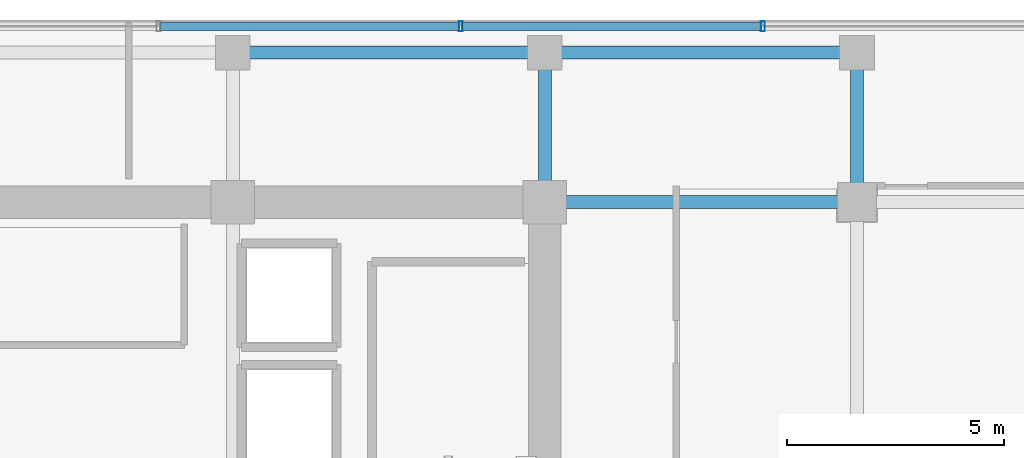
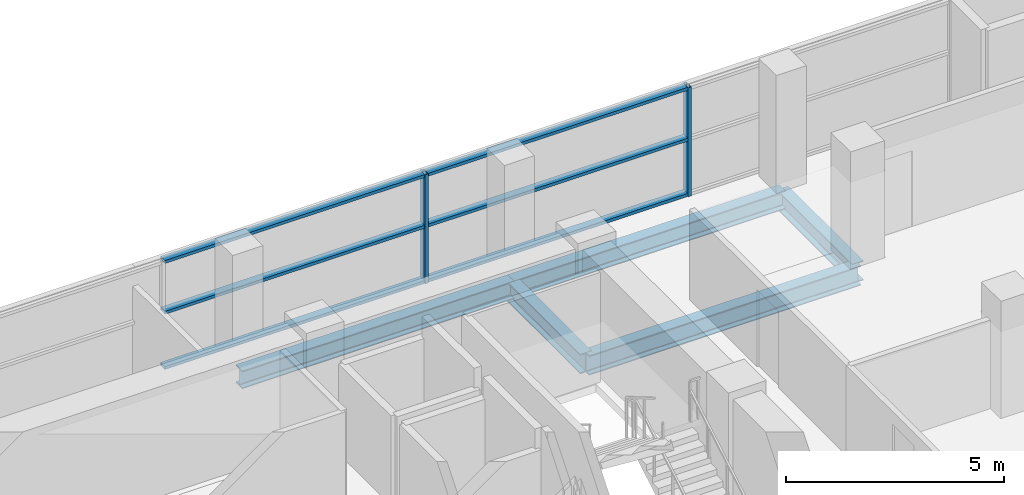
# One storey, part 14 of 25: 8 members, 5 beams, 1 element without a shape of its own.
"""IFC4 building model written with IfcOpenShell, lengths in metres."""

from ifc_helpers import new_model, si_unit, direction, frame, origin, origin_2d, place, context, subcontext, project, spatial, hollow_rectangle, i_section, extrude, source, transform, mapped, material, layer, layer_set, material_profile, profile_set, type_object, element, aggregate, save


model = new_model("IFC4")

# Units and contexts
model_context = context("Model", 3, precision=1e-05, world=origin(), true_north=direction((0.0, 1.0)))
body_context = subcontext(model_context, "Body", "Model", "MODEL_VIEW")
ifc_project = project(units=[si_unit("LENGTHUNIT", "METRE"), si_unit("AREAUNIT", "SQUARE_METRE"), si_unit("VOLUMEUNIT", "CUBIC_METRE"), si_unit("PLANEANGLEUNIT", "RADIAN"), si_unit("MASSUNIT", "GRAM", prefix="KILO")], contexts=[model_context])

# Site, building, storey
site_placement = place(None, origin())
site = spatial("IfcSite", under=ifc_project, at=site_placement, CompositionType="ELEMENT")
building_placement = place(site_placement, origin())
building = spatial("IfcBuilding", under=site, at=building_placement, Name="Zarnakvel Exchange Tower", CompositionType="ELEMENT")
storey_placement = place(building_placement, frame((0.0, 0.0, 126.39990234375)))
storey = spatial("IfcBuildingStorey", under=building, at=storey_placement, Name="L35", CompositionType="ELEMENT", Elevation=126.39990234375)

# Beams
ifc_material_1 = material(Name="Steel S355", Category="steel")
ifc_material_profile_1 = material_profile(ifc_material_1, i_section(OverallWidth=0.300048828125, OverallDepth=0.550048828125, WebThickness=0.014892578125, FlangeThickness=0.029052734375, FilletRadius=0.027099609375, at=origin_2d()))
ifc_profile_set_1 = profile_set([ifc_material_profile_1], Name="Steel S355")
beam_type_1 = type_object("IfcBeamType", Name="G-05", PredefinedType="BEAM", material=ifc_profile_set_1)
beam_1_placement = place(storey_placement, frame((14.39990234375, 13.5, -0.5), z_axis=(1.0, 0.0, 0.0), x_axis=(0.0, 1.0, 0.0)))
element("IfcBeam", 1, at=beam_1_placement, inside=storey, type_object=beam_type_1, Name="L35 Tower E-W Frame Beam", PredefinedType="BEAM", context=body_context, shape_type="SweptSolid", body=[
    extrude(i_section(OverallWidth=0.300048828125, OverallDepth=0.550048828125, WebThickness=0.014892578125, FlangeThickness=0.029052734375, FilletRadius=0.027099609375, at=origin_2d()), origin(), (0.0, 0.0, 1.0), 7.2001953125),
])
for number, where, z_axis, x_axis, name in (
    (2, (14.39990234375, 13.5, -0.5), (0.0, 1.0, 0.0), (-1.0, 0.0, 0.0), "L35 Tower N-S Frame Beam"),
    (3, (21.60009765625, 13.5, -0.5), (0.0, 1.0, 0.0), (-1.0, 0.0, 0.0), "L35 Tower N-S Frame Beam"),
):
    element("IfcBeam", number, at=place(storey_placement, frame(where, z_axis=z_axis, x_axis=x_axis)), inside=storey, type_object=beam_type_1, Name=name, PredefinedType="BEAM", context=body_context, shape_type="SweptSolid", body=[
        extrude(i_section(OverallWidth=0.300048828125, OverallDepth=0.550048828125, WebThickness=0.014892578125, FlangeThickness=0.029052734375, FilletRadius=0.027099609375, at=origin_2d()), origin(), (0.0, 0.0, 1.0), 3.449951171875),
    ])
ifc_material_profile_2 = material_profile(ifc_material_1, i_section(OverallWidth=0.300048828125, OverallDepth=0.5, WebThickness=0.014404296875, FlangeThickness=0.028076171875, FilletRadius=0.027099609375, at=origin_2d()))
ifc_profile_set_2 = profile_set([ifc_material_profile_2], Name="Steel S355")
beam_type_2 = type_object("IfcBeamType", Name="SP-02", PredefinedType="SPANDREL", material=ifc_profile_set_2)
beam_2_placement = place(storey_placement, frame((7.199951171875, 16.949951171875, -0.474853515625), z_axis=(1.0, 0.0, 0.0), x_axis=(0.0, 1.0, 0.0)))
element("IfcBeam", 4, at=beam_2_placement, inside=storey, type_object=beam_type_2, Name="L35 Tower E-W Frame Beam", PredefinedType="SPANDREL", context=body_context, shape_type="SweptSolid", body=[
    extrude(i_section(OverallWidth=0.300048828125, OverallDepth=0.5, WebThickness=0.014404296875, FlangeThickness=0.028076171875, FilletRadius=0.027099609375, at=origin_2d()), origin(), (0.0, 0.0, 1.0), 7.199951171875),
])
beam_3_placement = place(storey_placement, frame((14.39990234375, 16.949951171875, -0.474853515625), z_axis=(1.0, 0.0, 0.0), x_axis=(0.0, 1.0, 0.0)))
element("IfcBeam", 5, at=beam_3_placement, inside=storey, type_object=beam_type_2, Name="L35 Tower E-W Frame Beam", PredefinedType="SPANDREL", context=body_context, shape_type="SweptSolid", body=[
    extrude(i_section(OverallWidth=0.300048828125, OverallDepth=0.5, WebThickness=0.014404296875, FlangeThickness=0.028076171875, FilletRadius=0.027099609375, at=origin_2d()), origin(), (0.0, 0.0, 1.0), 7.2001953125),
])

# Curtain wall, members
ifc_material_2 = material(Name="Architectural Bronze Anodised Aluminium", Category="aluminium")
ifc_layer = layer(ifc_material_2, 0.239990234375)
ifc_layer_set = layer_set([ifc_layer], Name="Architectural Bronze Anodised Aluminium")
curtain_wall_type = type_object("IfcCurtainWallType", Name="CW-02", PredefinedType="NOTDEFINED", material=ifc_layer_set)
curtain_wall_placement = place(storey_placement, origin())
curtain_wall = element("IfcCurtainWall", 6, at=curtain_wall_placement, inside=storey, type_object=curtain_wall_type, Name="L35 Curtain Wall CW-L35-N1 (CW-02)", PredefinedType="NOTDEFINED")
ifc_material_profile_3 = material_profile(ifc_material_2, hollow_rectangle(XDim=0.239990234375, YDim=0.090087890625, WallThickness=0.006103515625, at=origin_2d()))
ifc_profile_set_3 = profile_set([ifc_material_profile_3], Name="Architectural Bronze Anodised Aluminium")
member_type_1 = type_object("IfcMemberType", Name="CWM-02", PredefinedType="MULLION", material=ifc_profile_set_3)
shared_shape_1 = source(origin(), body_context, "Body", "SweptSolid", [
    extrude(hollow_rectangle(XDim=0.239990234375, YDim=0.090087890625, WallThickness=0.006103515625, at=origin_2d()), origin(), (0.0, 0.0, 1.0), 3.05517578125),
])
member_1_placement = place(storey_placement, frame((12.45703125, 17.56005859375, 0.0), z_axis=(0.0, 0.0, 1.0), x_axis=(0.0, 1.0, 0.0)))
member_1 = element("IfcMember", 7, at=member_1_placement, type_object=member_type_1, Name="CW-02 mullion 6", PredefinedType="MULLION", context=body_context, shape_type="MappedRepresentation", body=[
    mapped(shared_shape_1, transform((0.0, 0.0, 0.0), x_axis=(1.0, 0.0, 0.0), y_axis=(0.0, 1.0, 0.0), z_axis=(0.0, 0.0, 1.0), scale=1.0)),
])
member_2_placement = place(storey_placement, frame((19.428466796875, 17.56005859375, 0.0), z_axis=(0.0, 0.0, 1.0), x_axis=(0.0, 1.0, 0.0)))
member_2 = element("IfcMember", 8, at=member_2_placement, type_object=member_type_1, Name="CW-02 mullion 7", PredefinedType="MULLION", context=body_context, shape_type="MappedRepresentation", body=[
    mapped(shared_shape_1, transform((0.0, 0.0, 0.0), x_axis=(1.0, 0.0, 0.0), y_axis=(0.0, 1.0, 0.0), z_axis=(0.0, 0.0, 1.0), scale=1.0)),
])
ifc_material_profile_4 = material_profile(ifc_material_2, hollow_rectangle(XDim=0.199951171875, YDim=0.0849609375, WallThickness=0.0048828125, at=origin_2d()))
ifc_profile_set_4 = profile_set([ifc_material_profile_4], Name="Architectural Bronze Anodised Aluminium")
member_type_2 = type_object("IfcMemberType", Name="CWT-02", PredefinedType="USERDEFINED", material=ifc_profile_set_4)
shared_shape_2 = source(origin(), body_context, "Body", "SweptSolid", [
    extrude(hollow_rectangle(XDim=0.199951171875, YDim=0.0849609375, WallThickness=0.0048828125, at=origin_2d()), origin(), (0.0, 0.0, 1.0), 6.88134765625),
])
member_3_placement = place(storey_placement, frame((5.53076171875, 17.56005859375, 0.04248046875), z_axis=(1.0, 0.0, 0.0), x_axis=(0.0, 1.0, 0.0)))
member_3 = element("IfcMember", 9, at=member_3_placement, type_object=member_type_2, Name="CW-02 transom 5.1", ObjectType="TRANSOM", PredefinedType="USERDEFINED", context=body_context, shape_type="MappedRepresentation", body=[
    mapped(shared_shape_2, transform((0.0, 0.0, 0.0), x_axis=(1.0, 0.0, 0.0), y_axis=(0.0, 1.0, 0.0), z_axis=(0.0, 0.0, 1.0), scale=1.0)),
])
member_4_placement = place(storey_placement, frame((5.53076171875, 17.56005859375, 1.588623046875), z_axis=(1.0, 0.0, 0.0), x_axis=(0.0, 1.0, 0.0)))
member_4 = element("IfcMember", 10, at=member_4_placement, type_object=member_type_2, Name="CW-02 transom 5.2", ObjectType="TRANSOM", PredefinedType="USERDEFINED", context=body_context, shape_type="MappedRepresentation", body=[
    mapped(shared_shape_2, transform((0.0, 0.0, 0.0), x_axis=(1.0, 0.0, 0.0), y_axis=(0.0, 1.0, 0.0), z_axis=(0.0, 0.0, 1.0), scale=1.0)),
])
member_5_placement = place(storey_placement, frame((5.53076171875, 17.56005859375, 3.0126953125), z_axis=(1.0, 0.0, 0.0), x_axis=(0.0, 1.0, 0.0)))
member_5 = element("IfcMember", 11, at=member_5_placement, type_object=member_type_2, Name="CW-02 transom 5.3", ObjectType="TRANSOM", PredefinedType="USERDEFINED", context=body_context, shape_type="MappedRepresentation", body=[
    mapped(shared_shape_2, transform((0.0, 0.0, 0.0), x_axis=(1.0, 0.0, 0.0), y_axis=(0.0, 1.0, 0.0), z_axis=(0.0, 0.0, 1.0), scale=1.0)),
])
member_6_placement = place(storey_placement, frame((12.502197265625, 17.56005859375, 0.04248046875), z_axis=(1.0, 0.0, 0.0), x_axis=(0.0, 1.0, 0.0)))
member_6 = element("IfcMember", 12, at=member_6_placement, type_object=member_type_2, Name="CW-02 transom 6.1", ObjectType="TRANSOM", PredefinedType="USERDEFINED", context=body_context, shape_type="MappedRepresentation", body=[
    mapped(shared_shape_2, transform((0.0, 0.0, 0.0), x_axis=(1.0, 0.0, 0.0), y_axis=(0.0, 1.0, 0.0), z_axis=(0.0, 0.0, 1.0), scale=1.0)),
])
member_7_placement = place(storey_placement, frame((12.502197265625, 17.56005859375, 1.588623046875), z_axis=(1.0, 0.0, 0.0), x_axis=(0.0, 1.0, 0.0)))
member_7 = element("IfcMember", 13, at=member_7_placement, type_object=member_type_2, Name="CW-02 transom 6.2", ObjectType="TRANSOM", PredefinedType="USERDEFINED", context=body_context, shape_type="MappedRepresentation", body=[
    mapped(shared_shape_2, transform((0.0, 0.0, 0.0), x_axis=(1.0, 0.0, 0.0), y_axis=(0.0, 1.0, 0.0), z_axis=(0.0, 0.0, 1.0), scale=1.0)),
])
member_8_placement = place(storey_placement, frame((12.502197265625, 17.56005859375, 3.0126953125), z_axis=(1.0, 0.0, 0.0), x_axis=(0.0, 1.0, 0.0)))
member_8 = element("IfcMember", 14, at=member_8_placement, type_object=member_type_2, Name="CW-02 transom 6.3", ObjectType="TRANSOM", PredefinedType="USERDEFINED", context=body_context, shape_type="MappedRepresentation", body=[
    mapped(shared_shape_2, transform((0.0, 0.0, 0.0), x_axis=(1.0, 0.0, 0.0), y_axis=(0.0, 1.0, 0.0), z_axis=(0.0, 0.0, 1.0), scale=1.0)),
])
aggregate(curtain_wall, [member_1, member_2, member_3, member_4, member_5, member_6, member_7, member_8])

save(model, "model.ifc")
